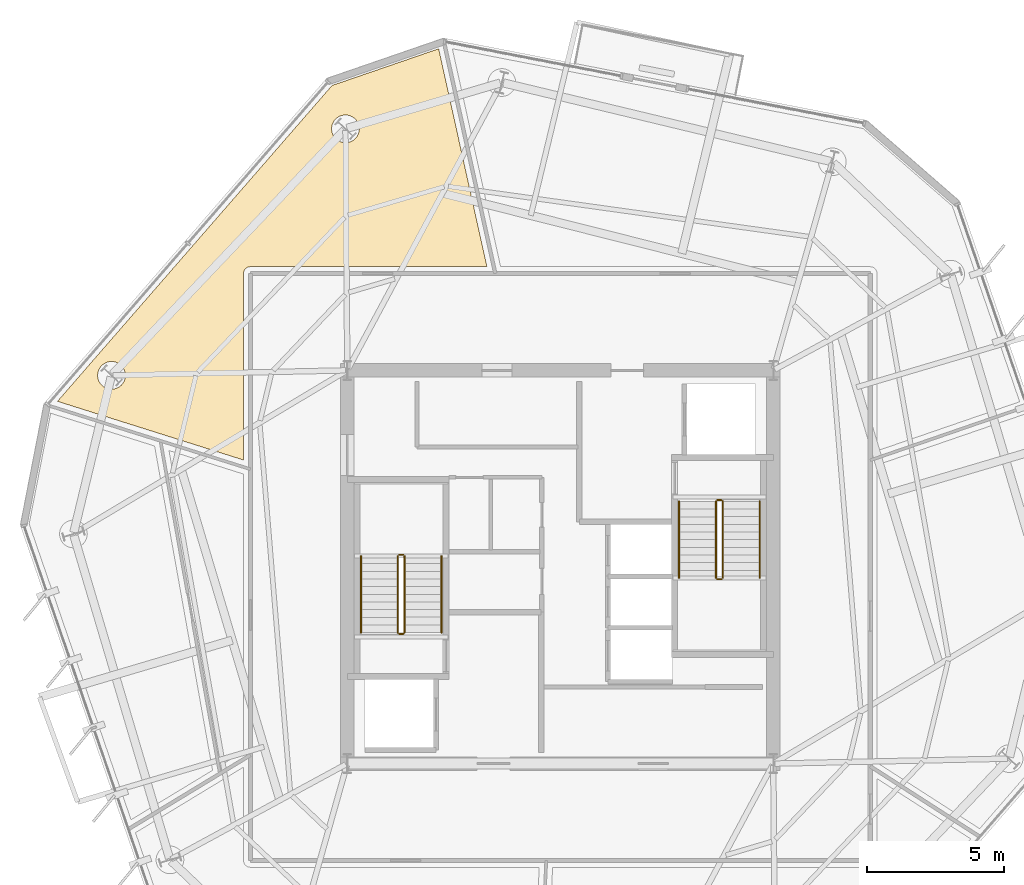
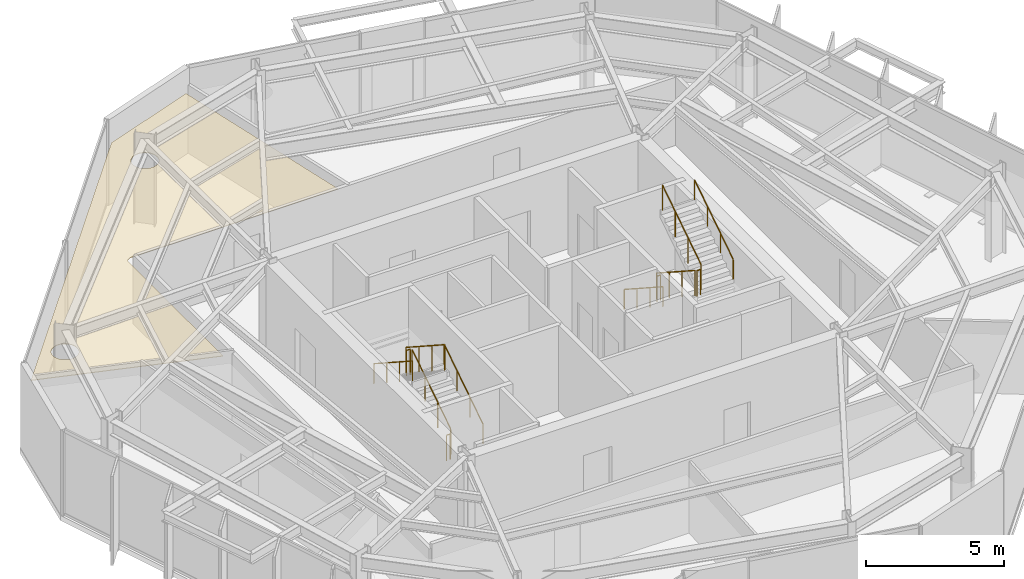
# One storey, part 10 of 11: 12 railings, 1 covering.
"""IFC4 building model written with IfcOpenShell, lengths in metres."""

from ifc_helpers import new_model, si_unit, direction, frame, origin, origin_2d, place, context, subcontext, project, spatial, polyline, circle, outline, extrude, material, layer, layer_set, type_object, element, save


model = new_model("IFC4")

# Units and contexts
model_context = context("Model", 3, precision=1e-05, world=origin(), true_north=direction((0.0, 1.0)))
body_context = subcontext(model_context, "Body", "Model", "MODEL_VIEW")
ifc_project = project(units=[si_unit("LENGTHUNIT", "METRE"), si_unit("AREAUNIT", "SQUARE_METRE"), si_unit("VOLUMEUNIT", "CUBIC_METRE"), si_unit("PLANEANGLEUNIT", "RADIAN"), si_unit("MASSUNIT", "GRAM", prefix="KILO")], contexts=[model_context])

# Site, building, storey
site_placement = place(None, origin())
site = spatial("IfcSite", under=ifc_project, at=site_placement, CompositionType="ELEMENT")
building_placement = place(site_placement, origin())
building = spatial("IfcBuilding", under=site, at=building_placement, Name="Kranzbogen Civic Tower", CompositionType="ELEMENT")
storey_placement = place(building_placement, frame((0.0, 0.0, 220.800048828125)))
storey = spatial("IfcBuildingStorey", under=building, at=storey_placement, Name="L53", CompositionType="ELEMENT", Elevation=220.800048828125)

# Railings
ifc_material_1 = material(Name="Steel S355", Category="steel")
railing_type_1 = type_object("IfcRailingType", Name="Internal Stair and Void Steel Guardrail 1150", PredefinedType="GUARDRAIL", material=ifc_material_1)
railing_1_placement = place(storey_placement, frame((19.300048828125, 22.60009765625, 0.181884765625)))
element("IfcRailing", 1, at=railing_1_placement, inside=storey, type_object=railing_type_1, Name="L53 ST-T1 stair guard 1", PredefinedType="GUARDRAIL", context=body_context, shape_type="SweptSolid", body=[
    extrude(circle(Radius=0.02392578125, at=origin_2d()), frame((0.0, 0.0, 1.1259765625), z_axis=(0.0, 0.83868413941, 0.544618136222), x_axis=(-1.0, 0.0, 0.0)), (0.0, 0.0, 1.0), 3.33837890625),
    extrude(circle(Radius=0.02099609375, at=origin_2d()), origin(), (0.0, 0.0, 1.0), 1.101806640625),
    extrude(circle(Radius=0.02099609375, at=origin_2d()), frame((0.0, 0.933349609375, 0.60595703125)), (0.0, 0.0, 1.0), 1.101806640625),
    extrude(circle(Radius=0.02099609375, at=origin_2d()), frame((0.0, 1.866455078125, 1.212158203125)), (0.0, 0.0, 1.0), 1.101806640625),
    extrude(circle(Radius=0.02099609375, at=origin_2d()), frame((0.0, 2.7998046875, 1.818115234375)), (0.0, 0.0, 1.0), 1.101806640625),
])
railing_2_placement = place(storey_placement, frame((19.25, 25.449951171875, 2.0)))
element("IfcRailing", 2, at=railing_2_placement, inside=storey, type_object=railing_type_1, Name="L53 ST-T1 stair guard 2", PredefinedType="GUARDRAIL", context=body_context, shape_type="SweptSolid", body=[
    extrude(circle(Radius=0.02392578125, at=origin_2d()), frame((0.0, 0.0, 1.1259765625), z_axis=(-1.0, 0.0, 0.0), x_axis=(0.0, -1.0, 0.0)), (0.0, 0.0, 1.0), 0.14990234375),
    extrude(circle(Radius=0.02099609375, at=origin_2d()), origin(), (0.0, 0.0, 1.0), 1.101806640625),
    extrude(circle(Radius=0.02099609375, at=origin_2d()), frame((-0.14990234375, 0.0, 0.0)), (0.0, 0.0, 1.0), 1.101806640625),
])
railing_3_placement = place(storey_placement, frame((19.050048828125, 25.39990234375, 2.181884765625)))
element("IfcRailing", 3, at=railing_3_placement, inside=storey, type_object=railing_type_1, Name="L53 ST-T1 stair guard 3", PredefinedType="GUARDRAIL", context=body_context, shape_type="SweptSolid", body=[
    extrude(circle(Radius=0.02392578125, at=origin_2d()), frame((0.0, 0.0, 1.1259765625), z_axis=(0.0, -0.83868413941, 0.544618136222), x_axis=(1.0, 0.0, 0.0)), (0.0, 0.0, 1.0), 3.33837890625),
    extrude(circle(Radius=0.02099609375, at=origin_2d()), origin(), (0.0, 0.0, 1.0), 1.101806640625),
    extrude(circle(Radius=0.02099609375, at=origin_2d()), frame((0.0, -0.933349609375, 0.60595703125)), (0.0, 0.0, 1.0), 1.101806640625),
    extrude(circle(Radius=0.02099609375, at=origin_2d()), frame((0.0, -1.866455078125, 1.212158203125)), (0.0, 0.0, 1.0), 1.101806640625),
    extrude(circle(Radius=0.02099609375, at=origin_2d()), frame((0.0, -2.7998046875, 1.818115234375)), (0.0, 0.0, 1.0), 1.101806640625),
])
railing_4_placement = place(storey_placement, frame((19.25, 22.550048828125, 0.0)))
element("IfcRailing", 4, at=railing_4_placement, inside=storey, type_object=railing_type_1, Name="L53 ST-T1 stair guard 4", PredefinedType="GUARDRAIL", context=body_context, shape_type="SweptSolid", body=[
    extrude(circle(Radius=0.02392578125, at=origin_2d()), frame((0.0, 0.0, 1.1259765625), z_axis=(-1.0, 0.0, 0.0), x_axis=(0.0, -1.0, 0.0)), (0.0, 0.0, 1.0), 0.14990234375),
    extrude(circle(Radius=0.02099609375, at=origin_2d()), origin(), (0.0, 0.0, 1.0), 1.101806640625),
    extrude(circle(Radius=0.02099609375, at=origin_2d()), frame((-0.14990234375, 0.0, 0.0)), (0.0, 0.0, 1.0), 1.101806640625),
])
railing_5_placement = place(storey_placement, frame((30.699951171875, 27.39990234375, 0.181884765625)))
element("IfcRailing", 5, at=railing_5_placement, inside=storey, type_object=railing_type_1, Name="L53 ST-T2 stair guard 1", PredefinedType="GUARDRAIL", context=body_context, shape_type="SweptSolid", body=[
    extrude(circle(Radius=0.02392578125, at=origin_2d()), frame((0.0, 0.0, 1.1259765625), z_axis=(0.0, -0.83868413941, 0.544618136222), x_axis=(1.0, 0.0, 0.0)), (0.0, 0.0, 1.0), 3.33837890625),
    extrude(circle(Radius=0.02099609375, at=origin_2d()), origin(), (0.0, 0.0, 1.0), 1.101806640625),
    extrude(circle(Radius=0.02099609375, at=origin_2d()), frame((0.0, -0.933349609375, 0.60595703125)), (0.0, 0.0, 1.0), 1.101806640625),
    extrude(circle(Radius=0.02099609375, at=origin_2d()), frame((0.0, -1.866455078125, 1.212158203125)), (0.0, 0.0, 1.0), 1.101806640625),
    extrude(circle(Radius=0.02099609375, at=origin_2d()), frame((0.0, -2.7998046875, 1.818115234375)), (0.0, 0.0, 1.0), 1.101806640625),
])
railing_6_placement = place(storey_placement, frame((30.75, 24.550048828125, 2.0)))
element("IfcRailing", 6, at=railing_6_placement, inside=storey, type_object=railing_type_1, Name="L53 ST-T2 stair guard 2", PredefinedType="GUARDRAIL", context=body_context, shape_type="SweptSolid", body=[
    extrude(circle(Radius=0.02392578125, at=origin_2d()), frame((0.0, 0.0, 1.1259765625), z_axis=(1.0, 0.0, 0.0), x_axis=(0.0, 1.0, 0.0)), (0.0, 0.0, 1.0), 0.14990234375),
    extrude(circle(Radius=0.02099609375, at=origin_2d()), origin(), (0.0, 0.0, 1.0), 1.101806640625),
    extrude(circle(Radius=0.02099609375, at=origin_2d()), frame((0.14990234375, 0.0, 0.0)), (0.0, 0.0, 1.0), 1.101806640625),
])
railing_7_placement = place(storey_placement, frame((30.949951171875, 24.60009765625, 2.181884765625)))
element("IfcRailing", 7, at=railing_7_placement, inside=storey, type_object=railing_type_1, Name="L53 ST-T2 stair guard 3", PredefinedType="GUARDRAIL", context=body_context, shape_type="SweptSolid", body=[
    extrude(circle(Radius=0.02392578125, at=origin_2d()), frame((0.0, 0.0, 1.1259765625), z_axis=(0.0, 0.83868413941, 0.544618136222), x_axis=(-1.0, 0.0, 0.0)), (0.0, 0.0, 1.0), 3.33837890625),
    extrude(circle(Radius=0.02099609375, at=origin_2d()), origin(), (0.0, 0.0, 1.0), 1.101806640625),
    extrude(circle(Radius=0.02099609375, at=origin_2d()), frame((0.0, 0.933349609375, 0.60595703125)), (0.0, 0.0, 1.0), 1.101806640625),
    extrude(circle(Radius=0.02099609375, at=origin_2d()), frame((0.0, 1.866455078125, 1.212158203125)), (0.0, 0.0, 1.0), 1.101806640625),
    extrude(circle(Radius=0.02099609375, at=origin_2d()), frame((0.0, 2.7998046875, 1.818115234375)), (0.0, 0.0, 1.0), 1.101806640625),
])
railing_8_placement = place(storey_placement, frame((30.75, 27.449951171875, 0.0)))
element("IfcRailing", 8, at=railing_8_placement, inside=storey, type_object=railing_type_1, Name="L53 ST-T2 stair guard 4", PredefinedType="GUARDRAIL", context=body_context, shape_type="SweptSolid", body=[
    extrude(circle(Radius=0.02392578125, at=origin_2d()), frame((0.0, 0.0, 1.1259765625), z_axis=(1.0, 0.0, 0.0), x_axis=(0.0, 1.0, 0.0)), (0.0, 0.0, 1.0), 0.14990234375),
    extrude(circle(Radius=0.02099609375, at=origin_2d()), origin(), (0.0, 0.0, 1.0), 1.101806640625),
    extrude(circle(Radius=0.02099609375, at=origin_2d()), frame((0.14990234375, 0.0, 0.0)), (0.0, 0.0, 1.0), 1.101806640625),
])

# Covering
ifc_material_2 = material(Name="Perforated Acoustic Gypsum Ceiling")
ifc_layer = layer(ifc_material_2, 0.02490234375, Name="Perforated Acoustic Gypsum Ceiling")
ifc_layer_set = layer_set([ifc_layer], Name="Perforated Acoustic Gypsum Ceiling")
covering_type = type_object("IfcCoveringType", Name="Perforated Acoustic Mineral Ceiling Tile 25 mm", PredefinedType="CEILING", material=ifc_layer_set)
covering_placement = place(storey_placement, frame((0.0, 0.0, 2.75)))
element("IfcCovering", 9, at=covering_placement, inside=storey, type_object=covering_type, Name="L53 Civic Reference Library acoustic ceiling", PredefinedType="CEILING", context=body_context, shape_type="SweptSolid", body=[
    extrude(outline(polyline([(20.5458984375, 43.97509765625), (22.31298828125, 35.9951171875), (13.64990234375, 35.9951171875), (13.64111328125, 35.9951171875), (13.635009765625, 35.993896484375), (13.616943359375, 35.992919921875), (13.611083984375, 35.991943359375), (13.593994140625, 35.988037109375), (13.5869140625, 35.987060546875), (13.570068359375, 35.98193359375), (13.56396484375, 35.97998046875), (13.548095703125, 35.972900390625), (13.5419921875, 35.969970703125), (13.527099609375, 35.9619140625), (13.52099609375, 35.9580078125), (13.507080078125, 35.948974609375), (13.501953125, 35.945068359375), (13.488037109375, 35.93408203125), (13.48291015625, 35.928955078125), (13.470947265625, 35.9169921875), (13.466064453125, 35.912109375), (13.455078125, 35.89794921875), (13.450927734375, 35.89306640625), (13.44189453125, 35.87890625), (13.43798828125, 35.873046875), (13.429931640625, 35.85791015625), (13.427001953125, 35.85205078125), (13.419921875, 35.8359375), (13.41796875, 35.830078125), (13.4130859375, 35.81298828125), (13.412109375, 35.805908203125), (13.407958984375, 35.7890625), (13.406982421875, 35.782958984375), (13.406005859375, 35.764892578125), (13.405029296875, 35.759033203125), (13.405029296875, 35.75), (13.405029296875, 28.9150390625), (6.587890625, 31.06591796875), (16.64208984375, 42.631103515625), (20.5458984375, 43.97509765625)]), holes=[polyline([(9.035888671875, 31.822021484375), (9.013916015625, 31.777099609375), (8.989013671875, 31.73388671875), (8.958984375, 31.694091796875), (8.926025390625, 31.656982421875), (8.888916015625, 31.6240234375), (8.84912109375, 31.593994140625), (8.805908203125, 31.569091796875), (8.760986328125, 31.547119140625), (8.714111328125, 31.531005859375), (8.666015625, 31.51904296875), (8.616943359375, 31.510986328125), (8.56689453125, 31.509033203125), (8.51708984375, 31.510986328125), (8.468017578125, 31.51904296875), (8.419921875, 31.531005859375), (8.373046875, 31.547119140625), (8.327880859375, 31.569091796875), (8.284912109375, 31.593994140625), (8.2451171875, 31.6240234375), (8.2080078125, 31.656982421875), (8.175048828125, 31.694091796875), (8.14501953125, 31.73388671875), (8.1201171875, 31.777099609375), (8.097900390625, 31.822021484375), (8.08203125, 31.868896484375), (8.070068359375, 31.9169921875), (8.06201171875, 31.966064453125), (8.06005859375, 32.01611328125), (8.06201171875, 32.06591796875), (8.070068359375, 32.114990234375), (8.08203125, 32.1630859375), (8.097900390625, 32.2099609375), (8.1201171875, 32.2548828125), (8.14501953125, 32.298095703125), (8.175048828125, 32.337890625), (8.2080078125, 32.375), (8.2451171875, 32.407958984375), (8.284912109375, 32.43798828125), (8.327880859375, 32.462890625), (8.373046875, 32.485107421875), (8.419921875, 32.5009765625), (8.468017578125, 32.512939453125), (8.51708984375, 32.52099609375), (8.56689453125, 32.52294921875), (8.616943359375, 32.52099609375), (8.666015625, 32.512939453125), (8.714111328125, 32.5009765625), (8.760986328125, 32.485107421875), (8.805908203125, 32.462890625), (8.84912109375, 32.43798828125), (8.888916015625, 32.407958984375), (8.926025390625, 32.375), (8.958984375, 32.337890625), (8.989013671875, 32.298095703125), (9.013916015625, 32.2548828125), (9.035888671875, 32.2099609375), (9.052001953125, 32.1630859375), (9.06396484375, 32.114990234375), (9.072021484375, 32.06591796875), (9.073974609375, 32.01611328125), (9.072021484375, 31.966064453125), (9.06396484375, 31.9169921875), (9.052001953125, 31.868896484375), (9.035888671875, 31.822021484375)]), polyline([(17.60205078125, 40.85009765625), (17.580078125, 40.804931640625), (17.554931640625, 40.761962890625), (17.52490234375, 40.721923828125), (17.491943359375, 40.68505859375), (17.455078125, 40.652099609375), (17.4150390625, 40.6220703125), (17.3720703125, 40.596923828125), (17.326904296875, 40.574951171875), (17.280029296875, 40.55908203125), (17.23193359375, 40.547119140625), (17.18310546875, 40.5390625), (17.133056640625, 40.537109375), (17.0830078125, 40.5390625), (17.033935546875, 40.547119140625), (16.986083984375, 40.55908203125), (16.93896484375, 40.574951171875), (16.89404296875, 40.596923828125), (16.85107421875, 40.6220703125), (16.81103515625, 40.652099609375), (16.77392578125, 40.68505859375), (16.740966796875, 40.721923828125), (16.7109375, 40.761962890625), (16.68603515625, 40.804931640625), (16.6640625, 40.85009765625), (16.64794921875, 40.89697265625), (16.635986328125, 40.945068359375), (16.6279296875, 40.993896484375), (16.6259765625, 41.0439453125), (16.6279296875, 41.093994140625), (16.635986328125, 41.14306640625), (16.64794921875, 41.19091796875), (16.6640625, 41.238037109375), (16.68603515625, 41.282958984375), (16.7109375, 41.325927734375), (16.740966796875, 41.365966796875), (16.77392578125, 41.403076171875), (16.81103515625, 41.43603515625), (16.85107421875, 41.466064453125), (16.89404296875, 41.490966796875), (16.93896484375, 41.512939453125), (16.986083984375, 41.529052734375), (17.033935546875, 41.541015625), (17.0830078125, 41.549072265625), (17.133056640625, 41.551025390625), (17.18310546875, 41.549072265625), (17.23193359375, 41.541015625), (17.280029296875, 41.529052734375), (17.326904296875, 41.512939453125), (17.3720703125, 41.490966796875), (17.4150390625, 41.466064453125), (17.455078125, 41.43603515625), (17.491943359375, 41.403076171875), (17.52490234375, 41.365966796875), (17.554931640625, 41.325927734375), (17.580078125, 41.282958984375), (17.60205078125, 41.238037109375), (17.617919921875, 41.19091796875), (17.6298828125, 41.14306640625), (17.637939453125, 41.093994140625), (17.639892578125, 41.0439453125), (17.637939453125, 40.993896484375), (17.6298828125, 40.945068359375), (17.617919921875, 40.89697265625), (17.60205078125, 40.85009765625)])]), origin(), (0.0, 0.0, 1.0), 0.02490234375),
])

# Railings
ifc_material_3 = material(Name="Pale Anodised Aluminium", Category="aluminium")
railing_type_2 = type_object("IfcRailingType", Name="Tubular Stainless Stair Wall Handrail 900", PredefinedType="HANDRAIL", material=ifc_material_3)
railing_9_placement = place(storey_placement, frame((20.64990234375, 22.60009765625, 0.181884765625)))
element("IfcRailing", 10, at=railing_9_placement, inside=storey, type_object=railing_type_2, Name="L53 ST-T1 stair handrail 1", PredefinedType="HANDRAIL", context=body_context, shape_type="SweptSolid", body=[
    extrude(circle(Radius=0.02392578125, at=origin_2d()), frame((0.0, 0.0, 0.8759765625), z_axis=(0.0, 0.83868413941, 0.544618136222), x_axis=(-1.0, 0.0, 0.0)), (0.0, 0.0, 1.0), 3.33837890625),
    extrude(circle(Radius=0.02099609375, at=origin_2d()), origin(), (0.0, 0.0, 1.0), 0.851806640625),
    extrude(circle(Radius=0.02099609375, at=origin_2d()), frame((0.0, 0.933349609375, 0.60595703125)), (0.0, 0.0, 1.0), 0.851806640625),
    extrude(circle(Radius=0.02099609375, at=origin_2d()), frame((0.0, 1.866455078125, 1.212158203125)), (0.0, 0.0, 1.0), 0.851806640625),
    extrude(circle(Radius=0.02099609375, at=origin_2d()), frame((0.0, 2.7998046875, 1.818115234375)), (0.0, 0.0, 1.0), 0.851806640625),
])
for number, where, name in (
    (11, (17.699951171875, 25.39990234375, 2.181884765625), "L53 ST-T1 stair handrail 2"),
    (12, (29.35009765625, 27.39990234375, 0.181884765625), "L53 ST-T2 stair handrail 1"),
):
    element("IfcRailing", number, at=place(storey_placement, frame(where)), inside=storey, type_object=railing_type_2, Name=name, PredefinedType="HANDRAIL", context=body_context, shape_type="SweptSolid", body=[
        extrude(circle(Radius=0.02392578125, at=origin_2d()), frame((0.0, 0.0, 0.8759765625), z_axis=(0.0, -0.83868413941, 0.544618136222), x_axis=(1.0, 0.0, 0.0)), (0.0, 0.0, 1.0), 3.33837890625),
        extrude(circle(Radius=0.02099609375, at=origin_2d()), origin(), (0.0, 0.0, 1.0), 0.851806640625),
        extrude(circle(Radius=0.02099609375, at=origin_2d()), frame((0.0, -0.933349609375, 0.60595703125)), (0.0, 0.0, 1.0), 0.851806640625),
        extrude(circle(Radius=0.02099609375, at=origin_2d()), frame((0.0, -1.866455078125, 1.212158203125)), (0.0, 0.0, 1.0), 0.851806640625),
        extrude(circle(Radius=0.02099609375, at=origin_2d()), frame((0.0, -2.7998046875, 1.818115234375)), (0.0, 0.0, 1.0), 0.851806640625),
    ])
railing_10_placement = place(storey_placement, frame((32.300048828125, 24.60009765625, 2.181884765625)))
element("IfcRailing", 13, at=railing_10_placement, inside=storey, type_object=railing_type_2, Name="L53 ST-T2 stair handrail 2", PredefinedType="HANDRAIL", context=body_context, shape_type="SweptSolid", body=[
    extrude(circle(Radius=0.02392578125, at=origin_2d()), frame((0.0, 0.0, 0.8759765625), z_axis=(0.0, 0.83868413941, 0.544618136222), x_axis=(-1.0, 0.0, 0.0)), (0.0, 0.0, 1.0), 3.33837890625),
    extrude(circle(Radius=0.02099609375, at=origin_2d()), origin(), (0.0, 0.0, 1.0), 0.851806640625),
    extrude(circle(Radius=0.02099609375, at=origin_2d()), frame((0.0, 0.933349609375, 0.60595703125)), (0.0, 0.0, 1.0), 0.851806640625),
    extrude(circle(Radius=0.02099609375, at=origin_2d()), frame((0.0, 1.866455078125, 1.212158203125)), (0.0, 0.0, 1.0), 0.851806640625),
    extrude(circle(Radius=0.02099609375, at=origin_2d()), frame((0.0, 2.7998046875, 1.818115234375)), (0.0, 0.0, 1.0), 0.851806640625),
])

save(model, "model.ifc")
